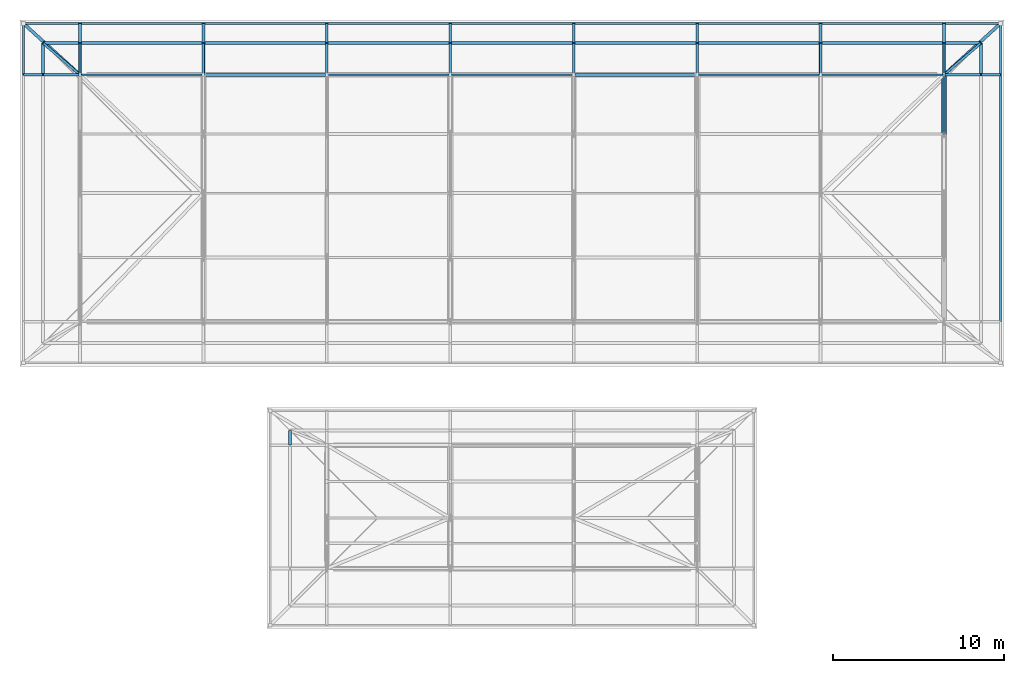
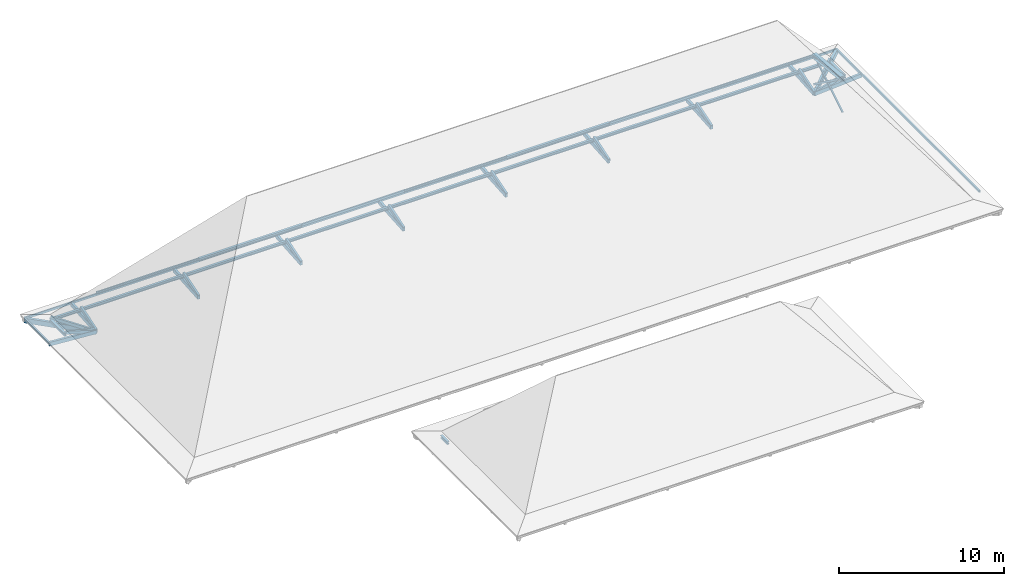
# One storey, part 6 of 12: 58 members.
"""IFC4 building model written with IfcOpenShell, lengths in metres."""

from ifc_helpers import new_model, si_unit, direction, frame, origin, origin_2d, place, context, subcontext, project, spatial, rectangle, hollow_rectangle, i_section, extrude, material, material_profile, profile_set, type_object, element, save


model = new_model("IFC4")

# Units and contexts
model_context = context("Model", 3, precision=1e-05, world=origin(), true_north=direction((0.0, 1.0)))
body_context = subcontext(model_context, "Body", "Model", "MODEL_VIEW")
ifc_project = project(units=[si_unit("LENGTHUNIT", "METRE"), si_unit("AREAUNIT", "SQUARE_METRE"), si_unit("VOLUMEUNIT", "CUBIC_METRE"), si_unit("PLANEANGLEUNIT", "RADIAN"), si_unit("MASSUNIT", "GRAM", prefix="KILO")], contexts=[model_context])

# Site, building, storey
site_placement = place(None, origin())
site = spatial("IfcSite", under=ifc_project, at=site_placement, CompositionType="ELEMENT")
building_placement = place(site_placement, origin())
building = spatial("IfcBuilding", under=site, at=building_placement, Name="Steenspoor Specialist Clinic", CompositionType="ELEMENT")
storey_placement = place(building_placement, frame((0.0, 0.0, 25.800048828125)))
storey = spatial("IfcBuildingStorey", under=building, at=storey_placement, Name="RF", CompositionType="ELEMENT", Elevation=25.800048828125)

# Members
ifc_material_1 = material(Name="Steel A500 Grade C", Category="steel")
ifc_material_profile_1 = material_profile(ifc_material_1, hollow_rectangle(XDim=0.126953125, YDim=0.126953125, WallThickness=0.0087890625, at=origin_2d()), Name="HSS127X127X9.5")
ifc_profile_set_1 = profile_set([ifc_material_profile_1], Name="Steel A500 Grade C")
member_type_1 = type_object("IfcMemberType", Name="MEM-BRACE-H127A", PredefinedType="BRACE", material=ifc_profile_set_1)
member_1_placement = place(storey_placement, frame((110.0, 104.89990234375, 2.712646484375), z_axis=(0.0, 0.807968970321, -0.589225035956), x_axis=(-1.0, 0.0, 0.0)))
element("IfcMember", 1, at=member_1_placement, inside=storey, type_object=member_type_1, Name="ROOF TRUSS Web Brace V4 8.4", PredefinedType="BRACE", context=body_context, shape_type="SweptSolid", body=[
    extrude(hollow_rectangle(XDim=0.126953125, YDim=0.126953125, WallThickness=0.0087890625, at=origin_2d()), origin(), (0.0, 0.0, 1.0), 4.270263671875),
])
ifc_material_2 = material(Name="Steel A992 Grade 50", Category="steel")
ifc_material_profile_2 = material_profile(ifc_material_2, i_section(OverallWidth=0.304931640625, OverallDepth=0.30810546875, WebThickness=0.010009765625, FlangeThickness=0.015380859375, at=origin_2d()), Name="W310X97")
ifc_profile_set_2 = profile_set([ifc_material_profile_2], Name="Steel A992 Grade 50")
member_type_2 = type_object("IfcMemberType", Name="MEM-CHORD-W310", PredefinedType="CHORD", material=ifc_profile_set_2)
member_2_placement = place(storey_placement, frame((110.0, 104.89990234375, 2.712646484375), z_axis=(0.0, 0.994008330479, -0.109304340898), x_axis=(-1.0, 0.0, 0.0)))
element("IfcMember", 2, at=member_2_placement, inside=storey, type_object=member_type_2, Name="ROOF TRUSS Top Chord V4 8.4", PredefinedType="CHORD", context=body_context, shape_type="SweptSolid", body=[
    extrude(i_section(OverallWidth=0.304931640625, OverallDepth=0.30810546875, WebThickness=0.010009765625, FlangeThickness=0.015380859375, at=origin_2d()), origin(), (0.0, 0.0, 1.0), 3.470947265625),
])
ifc_material_profile_3 = material_profile(ifc_material_1, hollow_rectangle(XDim=0.1015625, YDim=0.15234375, WallThickness=0.005859375, at=origin_2d()), Name="HSS152X102X6.4")
ifc_profile_set_3 = profile_set([ifc_material_profile_3], Name="Steel A500 Grade C")
member_type_3 = type_object("IfcMemberType", Name="MEM-PURLIN-H152", PredefinedType="PURLIN", material=ifc_profile_set_3)
member_3_placement = place(storey_placement, frame((56.300048828125, 111.35009765625, -0.195068359375), z_axis=(1.0, 0.0, 0.0), x_axis=(0.0, 1.0, 0.0)))
element("IfcMember", 3, at=member_3_placement, inside=storey, type_object=member_type_3, Name="ROOF TRUSS Eave Fascia 284", PredefinedType="PURLIN", context=body_context, shape_type="SweptSolid", body=[
    extrude(hollow_rectangle(XDim=0.1015625, YDim=0.15234375, WallThickness=0.005859375, at=origin_2d()), origin(), (0.0, 0.0, 1.0), 3.300048828125),
])
for number, where, z_axis, x_axis, name in (
    (4, (59.60009765625, 111.35009765625, -0.195068359375), (1.0, 0.0, 0.0), (0.0, 1.0, 0.0), "ROOF TRUSS Eave Fascia 285"),
    (5, (66.800048828125, 111.35009765625, -0.195068359375), (1.0, 0.0, 0.0), (0.0, 1.0, 0.0), "ROOF TRUSS Eave Fascia 286"),
    (6, (74.0, 111.35009765625, -0.195068359375), (1.0, 0.0, 0.0), (0.0, 1.0, 0.0), "ROOF TRUSS Eave Fascia 287"),
    (7, (81.199951171875, 111.35009765625, -0.195068359375), (1.0, 0.0, 0.0), (0.0, 1.0, 0.0), "ROOF TRUSS Eave Fascia 288"),
):
    element("IfcMember", number, at=place(storey_placement, frame(where, z_axis=z_axis, x_axis=x_axis)), inside=storey, type_object=member_type_3, Name=name, PredefinedType="PURLIN", context=body_context, shape_type="SweptSolid", body=[
        extrude(hollow_rectangle(XDim=0.1015625, YDim=0.15234375, WallThickness=0.005859375, at=origin_2d()), origin(), (0.0, 0.0, 1.0), 7.199951171875),
    ])
member_4_placement = place(storey_placement, frame((88.39990234375, 111.35009765625, -0.195068359375), z_axis=(1.0, 0.0, 0.0), x_axis=(0.0, 1.0, 0.0)))
element("IfcMember", 8, at=member_4_placement, inside=storey, type_object=member_type_3, Name="ROOF TRUSS Eave Fascia 289", PredefinedType="PURLIN", context=body_context, shape_type="SweptSolid", body=[
    extrude(hollow_rectangle(XDim=0.1015625, YDim=0.15234375, WallThickness=0.005859375, at=origin_2d()), origin(), (0.0, 0.0, 1.0), 7.2001953125),
])
for number, where, z_axis, x_axis, name in (
    (9, (95.60009765625, 111.35009765625, -0.195068359375), (1.0, 0.0, 0.0), (0.0, 1.0, 0.0), "ROOF TRUSS Eave Fascia 290"),
    (10, (102.800048828125, 111.35009765625, -0.195068359375), (1.0, 0.0, 0.0), (0.0, 1.0, 0.0), "ROOF TRUSS Eave Fascia 291"),
):
    element("IfcMember", number, at=place(storey_placement, frame(where, z_axis=z_axis, x_axis=x_axis)), inside=storey, type_object=member_type_3, Name=name, PredefinedType="PURLIN", context=body_context, shape_type="SweptSolid", body=[
        extrude(hollow_rectangle(XDim=0.1015625, YDim=0.15234375, WallThickness=0.005859375, at=origin_2d()), origin(), (0.0, 0.0, 1.0), 7.199951171875),
    ])
member_5_placement = place(storey_placement, frame((110.0, 111.35009765625, -0.195068359375), z_axis=(1.0, 0.0, 0.0), x_axis=(0.0, 1.0, 0.0)))
element("IfcMember", 11, at=member_5_placement, inside=storey, type_object=member_type_3, Name="ROOF TRUSS Eave Fascia 292", PredefinedType="PURLIN", context=body_context, shape_type="SweptSolid", body=[
    extrude(hollow_rectangle(XDim=0.1015625, YDim=0.15234375, WallThickness=0.005859375, at=origin_2d()), origin(), (0.0, 0.0, 1.0), 3.300048828125),
])
member_6_placement = place(storey_placement, frame((56.300048828125, 108.35009765625, -0.195068359375), z_axis=(0.0, 1.0, 0.0), x_axis=(-1.0, 0.0, 0.0)))
element("IfcMember", 12, at=member_6_placement, inside=storey, type_object=member_type_3, Name="ROOF TRUSS Eave Fascia 295", PredefinedType="PURLIN", context=body_context, shape_type="SweptSolid", body=[
    extrude(hollow_rectangle(XDim=0.1015625, YDim=0.15234375, WallThickness=0.005859375, at=origin_2d()), origin(), (0.0, 0.0, 1.0), 3.0),
])
member_7_placement = place(storey_placement, frame((113.300048828125, 93.949951171875, -0.195068359375), z_axis=(0.0, 1.0, 0.0), x_axis=(-1.0, 0.0, 0.0)))
element("IfcMember", 13, at=member_7_placement, inside=storey, type_object=member_type_3, Name="ROOF TRUSS Eave Fascia 297", PredefinedType="PURLIN", context=body_context, shape_type="SweptSolid", body=[
    extrude(hollow_rectangle(XDim=0.1015625, YDim=0.15234375, WallThickness=0.005859375, at=origin_2d()), origin(), (0.0, 0.0, 1.0), 14.400146484375),
])
member_8_placement = place(storey_placement, frame((113.300048828125, 108.35009765625, -0.195068359375), z_axis=(0.0, 1.0, 0.0), x_axis=(-1.0, 0.0, 0.0)))
element("IfcMember", 14, at=member_8_placement, inside=storey, type_object=member_type_3, Name="ROOF TRUSS Eave Fascia 298", PredefinedType="PURLIN", context=body_context, shape_type="SweptSolid", body=[
    extrude(hollow_rectangle(XDim=0.1015625, YDim=0.15234375, WallThickness=0.005859375, at=origin_2d()), origin(), (0.0, 0.0, 1.0), 3.0),
])
for number, where, z_axis, x_axis, name in (
    (15, (74.0, 108.35009765625, 2.3525390625), (1.0, 0.0, 0.0), (0.0, 1.0, 0.0), "ROOF TRUSS Purlin 337"),
    (16, (95.60009765625, 108.35009765625, 2.3525390625), (1.0, 0.0, 0.0), (0.0, 1.0, 0.0), "ROOF TRUSS Purlin 352"),
):
    element("IfcMember", number, at=place(storey_placement, frame(where, z_axis=z_axis, x_axis=x_axis)), inside=storey, type_object=member_type_3, Name=name, PredefinedType="PURLIN", context=body_context, shape_type="SweptSolid", body=[
        extrude(hollow_rectangle(XDim=0.1015625, YDim=0.15234375, WallThickness=0.005859375, at=origin_2d()), origin(), (0.0, 0.0, 1.0), 7.199951171875),
    ])
ifc_material_profile_4 = material_profile(ifc_material_2, i_section(OverallWidth=0.10205078125, OverallDepth=0.159912109375, WebThickness=0.006591796875, FlangeThickness=0.01025390625, at=origin_2d()), Name="W150X24")
ifc_profile_set_4 = profile_set([ifc_material_profile_4], Name="Steel A992 Grade 50")
member_type_4 = type_object("IfcMemberType", Name="MEM-PURLIN-W150", PredefinedType="PURLIN", material=ifc_profile_set_4)
for number, where, z_axis, x_axis, name in (
    (17, (59.60009765625, 108.35009765625, 2.348876953125), (1.0, 0.0, 0.0), (0.0, 1.0, 0.0), "ROOF TRUSS Purlin 327"),
    (18, (81.199951171875, 108.35009765625, 2.348876953125), (1.0, 0.0, 0.0), (0.0, 1.0, 0.0), "ROOF TRUSS Purlin 342"),
    (19, (102.800048828125, 108.35009765625, 2.348876953125), (1.0, 0.0, 0.0), (0.0, 1.0, 0.0), "ROOF TRUSS Purlin 357"),
):
    element("IfcMember", number, at=place(storey_placement, frame(where, z_axis=z_axis, x_axis=x_axis)), inside=storey, type_object=member_type_4, Name=name, PredefinedType="PURLIN", context=body_context, shape_type="SweptSolid", body=[
        extrude(i_section(OverallWidth=0.10205078125, OverallDepth=0.159912109375, WebThickness=0.006591796875, FlangeThickness=0.01025390625, at=origin_2d()), origin(), (0.0, 0.0, 1.0), 7.199951171875),
    ])
ifc_material_profile_5 = material_profile(ifc_material_2, i_section(OverallWidth=0.1650390625, OverallDepth=0.200927734375, WebThickness=0.006103515625, FlangeThickness=0.01025390625, at=origin_2d()), Name="W200X36")
ifc_profile_set_5 = profile_set([ifc_material_profile_5], Name="Steel A992 Grade 50")
member_type_5 = type_object("IfcMemberType", Name="MEM-PURLIN-W200", PredefinedType="PURLIN", material=ifc_profile_set_5)
member_9_placement = place(storey_placement, frame((57.449951171875, 110.199951171875, -0.0087890625), z_axis=(1.0, 0.0, 0.0), x_axis=(0.0, 1.0, 0.0)))
element("IfcMember", 20, at=member_9_placement, inside=storey, type_object=member_type_5, Name="ROOF TRUSS Knuckle Purlin 300", PredefinedType="PURLIN", context=body_context, shape_type="SweptSolid", body=[
    extrude(i_section(OverallWidth=0.1650390625, OverallDepth=0.200927734375, WebThickness=0.006103515625, FlangeThickness=0.01025390625, at=origin_2d()), origin(), (0.0, 0.0, 1.0), 2.150146484375),
])
for number, where, z_axis, x_axis, name in (
    (21, (59.60009765625, 110.199951171875, -0.0087890625), (1.0, 0.0, 0.0), (0.0, 1.0, 0.0), "ROOF TRUSS Knuckle Purlin 302"),
    (22, (66.800048828125, 110.199951171875, -0.0087890625), (1.0, 0.0, 0.0), (0.0, 1.0, 0.0), "ROOF TRUSS Knuckle Purlin 304"),
    (23, (74.0, 110.199951171875, -0.0087890625), (1.0, 0.0, 0.0), (0.0, 1.0, 0.0), "ROOF TRUSS Knuckle Purlin 306"),
    (24, (81.199951171875, 110.199951171875, -0.0087890625), (1.0, 0.0, 0.0), (0.0, 1.0, 0.0), "ROOF TRUSS Knuckle Purlin 308"),
):
    element("IfcMember", number, at=place(storey_placement, frame(where, z_axis=z_axis, x_axis=x_axis)), inside=storey, type_object=member_type_5, Name=name, PredefinedType="PURLIN", context=body_context, shape_type="SweptSolid", body=[
        extrude(i_section(OverallWidth=0.1650390625, OverallDepth=0.200927734375, WebThickness=0.006103515625, FlangeThickness=0.01025390625, at=origin_2d()), origin(), (0.0, 0.0, 1.0), 7.199951171875),
    ])
member_10_placement = place(storey_placement, frame((88.39990234375, 110.199951171875, -0.0087890625), z_axis=(1.0, 0.0, 0.0), x_axis=(0.0, 1.0, 0.0)))
element("IfcMember", 25, at=member_10_placement, inside=storey, type_object=member_type_5, Name="ROOF TRUSS Knuckle Purlin 310", PredefinedType="PURLIN", context=body_context, shape_type="SweptSolid", body=[
    extrude(i_section(OverallWidth=0.1650390625, OverallDepth=0.200927734375, WebThickness=0.006103515625, FlangeThickness=0.01025390625, at=origin_2d()), origin(), (0.0, 0.0, 1.0), 7.2001953125),
])
for number, where, z_axis, x_axis, name in (
    (26, (95.60009765625, 110.199951171875, -0.0087890625), (1.0, 0.0, 0.0), (0.0, 1.0, 0.0), "ROOF TRUSS Knuckle Purlin 312"),
    (27, (102.800048828125, 110.199951171875, -0.0087890625), (1.0, 0.0, 0.0), (0.0, 1.0, 0.0), "ROOF TRUSS Knuckle Purlin 314"),
):
    element("IfcMember", number, at=place(storey_placement, frame(where, z_axis=z_axis, x_axis=x_axis)), inside=storey, type_object=member_type_5, Name=name, PredefinedType="PURLIN", context=body_context, shape_type="SweptSolid", body=[
        extrude(i_section(OverallWidth=0.1650390625, OverallDepth=0.200927734375, WebThickness=0.006103515625, FlangeThickness=0.01025390625, at=origin_2d()), origin(), (0.0, 0.0, 1.0), 7.199951171875),
    ])
member_11_placement = place(storey_placement, frame((110.0, 110.199951171875, -0.0087890625), z_axis=(1.0, 0.0, 0.0), x_axis=(0.0, 1.0, 0.0)))
element("IfcMember", 28, at=member_11_placement, inside=storey, type_object=member_type_5, Name="ROOF TRUSS Knuckle Purlin 316", PredefinedType="PURLIN", context=body_context, shape_type="SweptSolid", body=[
    extrude(i_section(OverallWidth=0.1650390625, OverallDepth=0.200927734375, WebThickness=0.006103515625, FlangeThickness=0.01025390625, at=origin_2d()), origin(), (0.0, 0.0, 1.0), 2.14990234375),
])
for number, where, z_axis, x_axis, name in (
    (29, (57.449951171875, 108.35009765625, -0.0087890625), (0.0, 1.0, 0.0), (-1.0, 0.0, 0.0), "ROOF TRUSS Knuckle Purlin 319"),
    (30, (112.14990234375, 108.35009765625, -0.0087890625), (0.0, 1.0, 0.0), (-1.0, 0.0, 0.0), "ROOF TRUSS Knuckle Purlin 322"),
):
    element("IfcMember", number, at=place(storey_placement, frame(where, z_axis=z_axis, x_axis=x_axis)), inside=storey, type_object=member_type_5, Name=name, PredefinedType="PURLIN", context=body_context, shape_type="SweptSolid", body=[
        extrude(i_section(OverallWidth=0.1650390625, OverallDepth=0.200927734375, WebThickness=0.006103515625, FlangeThickness=0.01025390625, at=origin_2d()), origin(), (0.0, 0.0, 1.0), 1.849853515625),
    ])
member_12_placement = place(storey_placement, frame((66.800048828125, 108.35009765625, 2.328369140625), z_axis=(1.0, 0.0, 0.0), x_axis=(0.0, 1.0, 0.0)))
element("IfcMember", 31, at=member_12_placement, inside=storey, type_object=member_type_5, Name="ROOF TRUSS Purlin 332", PredefinedType="PURLIN", context=body_context, shape_type="SweptSolid", body=[
    extrude(i_section(OverallWidth=0.1650390625, OverallDepth=0.200927734375, WebThickness=0.006103515625, FlangeThickness=0.01025390625, at=origin_2d()), origin(), (0.0, 0.0, 1.0), 7.199951171875),
])
member_13_placement = place(storey_placement, frame((88.39990234375, 108.35009765625, 2.328369140625), z_axis=(1.0, 0.0, 0.0), x_axis=(0.0, 1.0, 0.0)))
element("IfcMember", 32, at=member_13_placement, inside=storey, type_object=member_type_5, Name="ROOF TRUSS Purlin 347", PredefinedType="PURLIN", context=body_context, shape_type="SweptSolid", body=[
    extrude(i_section(OverallWidth=0.1650390625, OverallDepth=0.200927734375, WebThickness=0.006103515625, FlangeThickness=0.01025390625, at=origin_2d()), origin(), (0.0, 0.0, 1.0), 7.2001953125),
])
member_14_placement = place(storey_placement, frame((71.85009765625, 86.75, 0.01318359375), z_axis=(0.0, 1.0, 0.0), x_axis=(-1.0, 0.0, 0.0)))
element("IfcMember", 33, at=member_14_placement, inside=storey, type_object=member_type_5, Name="ROOF TRUSS Knuckle Purlin 390", PredefinedType="PURLIN", context=body_context, shape_type="SweptSolid", body=[
    extrude(i_section(OverallWidth=0.1650390625, OverallDepth=0.200927734375, WebThickness=0.006103515625, FlangeThickness=0.01025390625, at=origin_2d()), origin(), (0.0, 0.0, 1.0), 0.85009765625),
])
ifc_material_3 = material(Name="Glulam GL28h", Category="wood")
ifc_material_profile_6 = material_profile(ifc_material_3, rectangle(XDim=0.139892578125, YDim=0.219970703125, at=origin_2d()), Name="GL28H-140X220")
ifc_profile_set_6 = profile_set([ifc_material_profile_6], Name="Glulam GL28h")
member_type_6 = type_object("IfcMemberType", Name="MEM-RAFTER-GL220", PredefinedType="RAFTER", material=ifc_profile_set_6)
for number, where, z_axis, x_axis, name in (
    (34, (59.60009765625, 108.35009765625, -0.415771484375), (0.0, 0.952374514188, 0.304930786778), (-1.0, 0.0, 0.0), "ROOF TRUSS Knuckle Rafter V4 182"),
    (35, (66.800048828125, 108.35009765625, -0.415771484375), (0.0, 0.952374514188, 0.304930786778), (-1.0, 0.0, 0.0), "ROOF TRUSS Knuckle Rafter V4 186"),
    (36, (74.0, 108.35009765625, -0.415771484375), (0.0, 0.952374514188, 0.304930786778), (-1.0, 0.0, 0.0), "ROOF TRUSS Knuckle Rafter V4 190"),
    (37, (81.199951171875, 108.35009765625, -0.415771484375), (0.0, 0.952374514188, 0.304930786778), (-1.0, 0.0, 0.0), "ROOF TRUSS Knuckle Rafter V4 194"),
    (38, (88.39990234375, 108.35009765625, -0.415771484375), (0.0, 0.952374514188, 0.304930786778), (-1.0, 0.0, 0.0), "ROOF TRUSS Knuckle Rafter V4 198"),
    (39, (95.60009765625, 108.35009765625, -0.415771484375), (0.0, 0.952374514188, 0.304930786778), (-1.0, 0.0, 0.0), "ROOF TRUSS Knuckle Rafter V4 202"),
    (40, (102.800048828125, 108.35009765625, -0.415771484375), (0.0, 0.952374514188, 0.304930786778), (-1.0, 0.0, 0.0), "ROOF TRUSS Knuckle Rafter V4 206"),
    (41, (110.0, 108.35009765625, -0.415771484375), (0.0, 0.952374514188, 0.304930786778), (-1.0, 0.0, 0.0), "ROOF TRUSS Knuckle Rafter V4 210"),
):
    element("IfcMember", number, at=place(storey_placement, frame(where, z_axis=z_axis, x_axis=x_axis)), inside=storey, type_object=member_type_6, Name=name, PredefinedType="RAFTER", context=body_context, shape_type="SweptSolid", body=[
        extrude(rectangle(XDim=0.139892578125, YDim=0.219970703125, at=origin_2d()), origin(), (0.0, 0.0, 1.0), 1.9423828125),
    ])
member_15_placement = place(storey_placement, frame((59.60009765625, 108.35009765625, -0.481689453125), z_axis=(-0.956200575685, 0.0, 0.292712246173), x_axis=(0.0, -1.0, 0.0)))
element("IfcMember", 42, at=member_15_placement, inside=storey, type_object=member_type_6, Name="ROOF TRUSS Knuckle Rafter V4 214", PredefinedType="RAFTER", context=body_context, shape_type="SweptSolid", body=[
    extrude(rectangle(XDim=0.139892578125, YDim=0.219970703125, at=origin_2d()), origin(), (0.0, 0.0, 1.0), 2.24853515625),
])
member_16_placement = place(storey_placement, frame((110.0, 108.35009765625, -0.481689453125), z_axis=(0.95619127167, 0.0, 0.292742637795), x_axis=(0.0, 1.0, 0.0)))
element("IfcMember", 43, at=member_16_placement, inside=storey, type_object=member_type_6, Name="ROOF TRUSS Knuckle Rafter V4 218", PredefinedType="RAFTER", context=body_context, shape_type="SweptSolid", body=[
    extrude(rectangle(XDim=0.139892578125, YDim=0.219970703125, at=origin_2d()), origin(), (0.0, 0.0, 1.0), 2.248291015625),
])
member_17_placement = place(storey_placement, frame((59.60009765625, 108.35009765625, -0.5), z_axis=(-0.737374511803, 0.634391583506, 0.232004629523), x_axis=(-0.652186705392, -0.758058375925, 0.0)))
element("IfcMember", 44, at=member_17_placement, inside=storey, type_object=member_type_6, Name="ROOF TRUSS Corner Knuckle Rafter V4 222", PredefinedType="RAFTER", context=body_context, shape_type="SweptSolid", body=[
    extrude(rectangle(XDim=0.139892578125, YDim=0.219970703125, at=origin_2d()), origin(), (0.0, 0.0, 1.0), 2.916015625),
])
member_18_placement = place(storey_placement, frame((110.0, 108.35009765625, -0.5), z_axis=(0.737336305883, 0.634430750588, 0.232018953396), x_axis=(-0.652229262009, 0.758021760756, 0.0)))
element("IfcMember", 45, at=member_18_placement, inside=storey, type_object=member_type_6, Name="ROOF TRUSS Corner Knuckle Rafter V4 226", PredefinedType="RAFTER", context=body_context, shape_type="SweptSolid", body=[
    extrude(rectangle(XDim=0.139892578125, YDim=0.219970703125, at=origin_2d()), origin(), (0.0, 0.0, 1.0), 2.915771484375),
])
ifc_material_profile_7 = material_profile(ifc_material_3, rectangle(XDim=0.159912109375, YDim=0.280029296875, at=origin_2d()), Name="GL28H-160X280")
ifc_profile_set_7 = profile_set([ifc_material_profile_7], Name="Glulam GL28h")
member_type_7 = type_object("IfcMemberType", Name="MEM-RAFTER-GL280", PredefinedType="RAFTER", material=ifc_profile_set_7)
for number, where, z_axis, x_axis, name in (
    (46, (59.60009765625, 108.35009765625, -0.5), (0.0, 0.996999825732, 0.077403795064), (-1.0, 0.0, 0.0), "ROOF TRUSS Flared Eave Glulam Outrigger V4 181"),
    (47, (66.800048828125, 108.35009765625, -0.5), (0.0, 0.996999825732, 0.077403795064), (-1.0, 0.0, 0.0), "ROOF TRUSS Flared Eave Glulam Outrigger V4 185"),
    (48, (74.0, 108.35009765625, -0.5), (0.0, 0.996999825732, 0.077403795064), (-1.0, 0.0, 0.0), "ROOF TRUSS Flared Eave Glulam Outrigger V4 189"),
    (49, (81.199951171875, 108.35009765625, -0.5), (0.0, 0.996999825732, 0.077403795064), (-1.0, 0.0, 0.0), "ROOF TRUSS Flared Eave Glulam Outrigger V4 193"),
    (50, (88.39990234375, 108.35009765625, -0.5), (0.0, 0.996999825732, 0.077403795064), (-1.0, 0.0, 0.0), "ROOF TRUSS Flared Eave Glulam Outrigger V4 197"),
    (51, (95.60009765625, 108.35009765625, -0.5), (0.0, 0.996999825732, 0.077403795064), (-1.0, 0.0, 0.0), "ROOF TRUSS Flared Eave Glulam Outrigger V4 201"),
    (52, (102.800048828125, 108.35009765625, -0.5), (0.0, 0.996999825732, 0.077403795064), (-1.0, 0.0, 0.0), "ROOF TRUSS Flared Eave Glulam Outrigger V4 205"),
    (53, (110.0, 108.35009765625, -0.5), (0.0, 0.996999825732, 0.077403795064), (-1.0, 0.0, 0.0), "ROOF TRUSS Flared Eave Glulam Outrigger V4 209"),
):
    element("IfcMember", number, at=place(storey_placement, frame(where, z_axis=z_axis, x_axis=x_axis)), inside=storey, type_object=member_type_7, Name=name, PredefinedType="RAFTER", context=body_context, shape_type="SweptSolid", body=[
        extrude(rectangle(XDim=0.159912109375, YDim=0.280029296875, at=origin_2d()), origin(), (0.0, 0.0, 1.0), 3.009033203125),
    ])
for number, where, z_axis, x_axis, name in (
    (54, (59.60009765625, 108.35009765625, -0.5), (-0.997518653982, 0.0, 0.070402663009), (0.0, -1.0, 0.0), "ROOF TRUSS Flared Eave Glulam Outrigger V4 213"),
    (55, (110.0, 108.35009765625, -0.5), (0.997518653982, 0.0, 0.070402663009), (0.0, 1.0, 0.0), "ROOF TRUSS Flared Eave Glulam Outrigger V4 217"),
):
    element("IfcMember", number, at=place(storey_placement, frame(where, z_axis=z_axis, x_axis=x_axis)), inside=storey, type_object=member_type_7, Name=name, PredefinedType="RAFTER", context=body_context, shape_type="SweptSolid", body=[
        extrude(rectangle(XDim=0.159912109375, YDim=0.280029296875, at=origin_2d()), origin(), (0.0, 0.0, 1.0), 3.308349609375),
    ])
ifc_material_profile_8 = material_profile(ifc_material_3, rectangle(XDim=0.179931640625, YDim=0.360107421875, at=origin_2d()), Name="GL28H-180X360")
ifc_profile_set_8 = profile_set([ifc_material_profile_8], Name="Glulam GL28h")
member_type_8 = type_object("IfcMemberType", Name="MEM-RAFTER-GL360", PredefinedType="RAFTER", material=ifc_profile_set_8)
for number, where, z_axis, x_axis, name in (
    (56, (59.60009765625, 108.35009765625, -0.5), (-0.739262773396, 0.672047122845, 0.042932697871), (-0.672667344567, -0.739945027386, 0.0), "ROOF TRUSS Corner Hip Outrigger V4 221"),
    (57, (110.0, 108.35009765625, -0.5), (0.739262773396, 0.672047122845, 0.042932697871), (-0.672667344567, 0.739945027386, 0.0), "ROOF TRUSS Corner Hip Outrigger V4 225"),
):
    element("IfcMember", number, at=place(storey_placement, frame(where, z_axis=z_axis, x_axis=x_axis)), inside=storey, type_object=member_type_8, Name=name, PredefinedType="RAFTER", context=body_context, shape_type="SweptSolid", body=[
        extrude(rectangle(XDim=0.179931640625, YDim=0.360107421875, at=origin_2d()), origin(), (0.0, 0.0, 1.0), 4.4638671875),
    ])
ifc_material_profile_9 = material_profile(ifc_material_1, hollow_rectangle(XDim=0.1015625, YDim=0.1015625, WallThickness=0.005859375, at=origin_2d()), Name="HSS102X102X6.4")
ifc_profile_set_9 = profile_set([ifc_material_profile_9], Name="Steel A500 Grade C")
member_type_9 = type_object("IfcMemberType", Name="MEM-STRUT-H102", PredefinedType="STRUT", material=ifc_profile_set_9)
member_19_placement = place(storey_placement, frame((110.0, 104.89990234375, 0.196533203125), z_axis=(0.0, 0.850167694182, 0.526512005341), x_axis=(-1.0, 0.0, 0.0)))
element("IfcMember", 58, at=member_19_placement, inside=storey, type_object=member_type_9, Name="ROOF TRUSS Web Strut V4 8.4", PredefinedType="STRUT", context=body_context, shape_type="SweptSolid", body=[
    extrude(hollow_rectangle(XDim=0.1015625, YDim=0.1015625, WallThickness=0.005859375, at=origin_2d()), origin(), (0.0, 0.0, 1.0), 4.058349609375),
])

save(model, "model.ifc")
